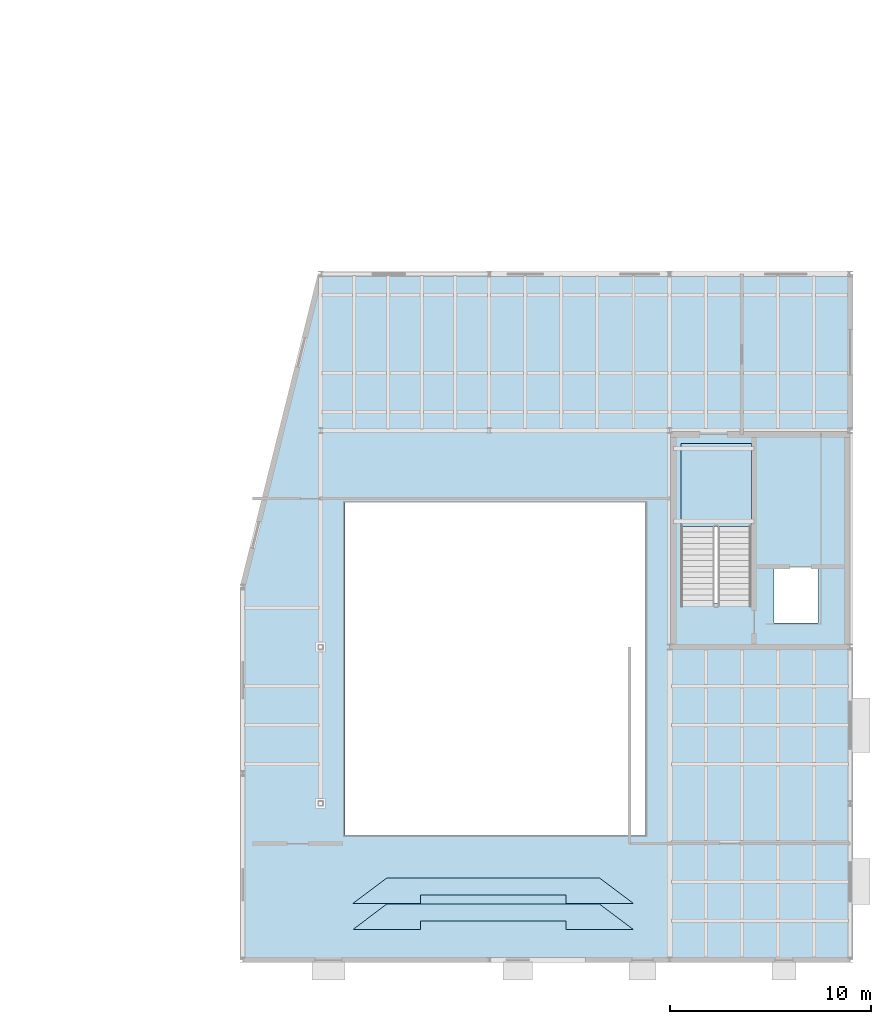
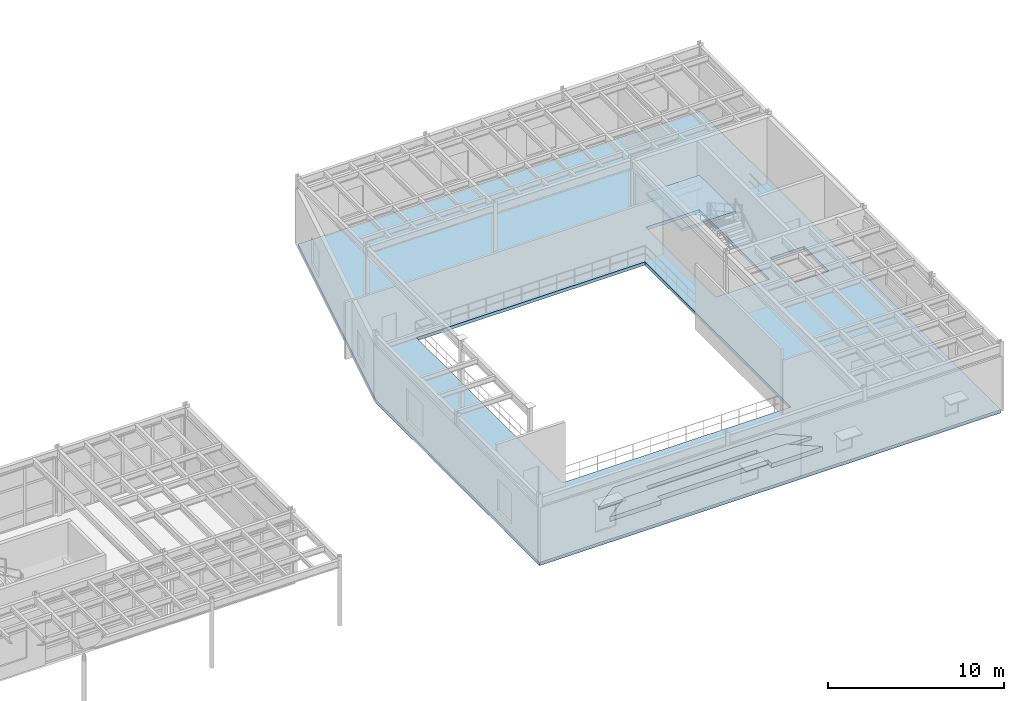
# One storey, part 91 of 116: 4 slabs, 1 element without a shape of its own.
"""IFC4 building model written with IfcOpenShell, lengths in metres."""

from ifc_helpers import new_model, si_unit, direction, frame, origin, place, context, subcontext, project, spatial, polyline, outline, extrude, material, layer, layer_set, type_object, element, aggregate, save


model = new_model("IFC4")

# Units and contexts
model_context = context("Model", 3, precision=1e-05, world=origin(), true_north=direction((0.0, 1.0)))
body_context = subcontext(model_context, "Body", "Model", "MODEL_VIEW")
ifc_project = project(units=[si_unit("LENGTHUNIT", "METRE"), si_unit("AREAUNIT", "SQUARE_METRE"), si_unit("VOLUMEUNIT", "CUBIC_METRE"), si_unit("PLANEANGLEUNIT", "RADIAN"), si_unit("MASSUNIT", "GRAM", prefix="KILO")], contexts=[model_context])

# Site, building, storey
site_placement = place(None, origin())
site = spatial("IfcSite", under=ifc_project, at=site_placement, CompositionType="ELEMENT")
building_placement = place(site_placement, origin())
building = spatial("IfcBuilding", under=site, at=building_placement, Name="Selat Folded Stagehouse", CompositionType="ELEMENT")
storey_placement = place(building_placement, frame((0.0, 0.0, 5.39990234375)))
storey = spatial("IfcBuildingStorey", under=building, at=storey_placement, Name="L01", CompositionType="ELEMENT", Elevation=5.39990234375)

# Slab
ifc_material = material(Name="Concrete C40/50", Category="concrete")
ifc_layer_1 = layer(ifc_material, 0.219970703125)
ifc_layer_set_1 = layer_set([ifc_layer_1], Name="Concrete C40/50")
slab_type_1 = type_object("IfcSlabType", Name="SLAB-FLR-220", PredefinedType="FLOOR", material=ifc_layer_set_1)
slab_1_placement = place(storey_placement, frame((0.0, 0.0, -0.219970703125)))
element("IfcSlab", 1, at=slab_1_placement, inside=storey, type_object=slab_type_1, Name="L01 V3 floor slab SL-L01-V3", PredefinedType="FLOOR", context=body_context, shape_type="SweptSolid", body=[
    extrude(outline(polyline([(130.510498046875, 0.0), (160.800048828125, 0.0), (160.800048828125, 34.199951171875), (134.39990234375, 34.199951171875), (130.510498046875, 18.60009765625), (130.510498046875, 0.0)]), holes=[polyline([(150.60009765625, 22.800048828125), (150.60009765625, 6.199951171875), (135.60009765625, 6.199951171875), (135.60009765625, 22.800048828125), (150.60009765625, 22.800048828125)]), polyline([(157.0, 16.800048828125), (157.0, 19.60009765625), (159.199951171875, 19.60009765625), (159.199951171875, 16.800048828125), (157.0, 16.800048828125)]), polyline([(152.360107421875, 17.7900390625), (152.360107421875, 25.75), (155.8798828125, 25.75), (155.8798828125, 17.7900390625), (152.360107421875, 17.7900390625)])]), origin(), (0.0, 0.0, 1.0), 0.219970703125),
])

# Stair, slab
stair_type = type_object("IfcStairType", Name="STR-DOG-1680-30R", PredefinedType="HALF_TURN_STAIR", material=ifc_material)
stair_placement = place(storey_placement, origin())
stair = element("IfcStair", 2, at=stair_placement, inside=storey, type_object=stair_type, Name="L01 Core 4 Studio East Core", PredefinedType="HALF_TURN_STAIR")
ifc_layer_2 = layer(ifc_material, 0.199951171875)
ifc_layer_set_2 = layer_set([ifc_layer_2], Name="Concrete C40/50")
slab_type_2 = type_object("IfcSlabType", Name="SLAB-STR-LDG-200", PredefinedType="LANDING", material=ifc_layer_set_2)
slab_2_placement = place(storey_placement, frame((0.0, 0.0, 2.2001953125)))
slab_2 = element("IfcSlab", 3, at=slab_2_placement, type_object=slab_type_2, Name="ST-1680-30R landing 1", PredefinedType="LANDING", context=body_context, shape_type="SweptSolid", body=[
    extrude(outline(polyline([(155.8798828125, 21.6201171875), (155.8798828125, 25.75), (152.360107421875, 25.75), (152.360107421875, 21.6201171875), (155.8798828125, 21.6201171875)])), origin(), (0.0, 0.0, 1.0), 0.199951171875),
])
aggregate(stair, [slab_2])

# Slabs
ifc_layer_3 = layer(ifc_material, 0.215087890625)
ifc_layer_set_3 = layer_set([ifc_layer_3], Name="Concrete C40/50")
slab_type_3 = type_object("IfcSlabType", Name="SLAB-TIER-T215", PredefinedType="USERDEFINED", material=ifc_layer_set_3)
slab_3_placement = place(storey_placement, origin())
element("IfcSlab", 4, at=slab_3_placement, inside=storey, type_object=slab_type_3, Name="L01 auditorium seating tier TIER-ST-G1", ObjectType="SEATING TIER", PredefinedType="USERDEFINED", context=body_context, shape_type="SweptSolid", body=[
    extrude(outline(polyline([(137.6953125, 4.080078125), (136.02001953125, 2.820068359375), (139.370361328125, 2.820068359375), (139.370361328125, 3.22314453125), (146.629638671875, 3.22314453125), (146.629638671875, 2.820068359375), (149.97998046875, 2.820068359375), (148.3046875, 4.080078125), (137.6953125, 4.080078125)])), origin(), (0.0, 0.0, 1.0), 0.215087890625),
])
ifc_layer_4 = layer(ifc_material, 0.31005859375)
ifc_layer_set_4 = layer_set([ifc_layer_4], Name="Concrete C40/50")
slab_type_4 = type_object("IfcSlabType", Name="SLAB-TIER-T310", PredefinedType="USERDEFINED", material=ifc_layer_set_4)
slab_4_placement = place(storey_placement, origin())
element("IfcSlab", 5, at=slab_4_placement, inside=storey, type_object=slab_type_4, Name="L01 auditorium seating tier TIER-ST-G2", ObjectType="SEATING TIER", PredefinedType="USERDEFINED", context=body_context, shape_type="SweptSolid", body=[
    extrude(outline(polyline([(137.6953125, 2.780029296875), (136.02001953125, 1.52001953125), (139.370361328125, 1.52001953125), (139.370361328125, 1.923095703125), (146.629638671875, 1.923095703125), (146.629638671875, 1.52001953125), (149.97998046875, 1.52001953125), (148.3046875, 2.780029296875), (137.6953125, 2.780029296875)])), origin(), (0.0, 0.0, 1.0), 0.31005859375),
])

save(model, "model.ifc")
